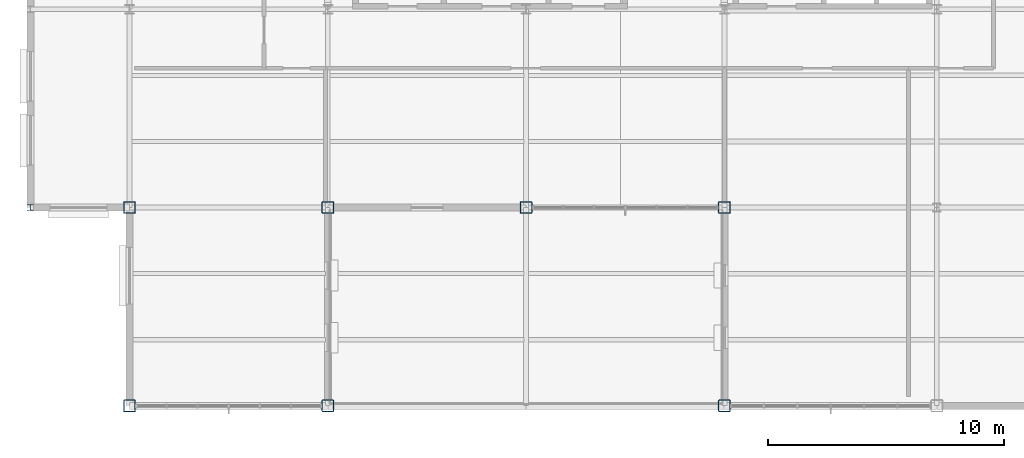
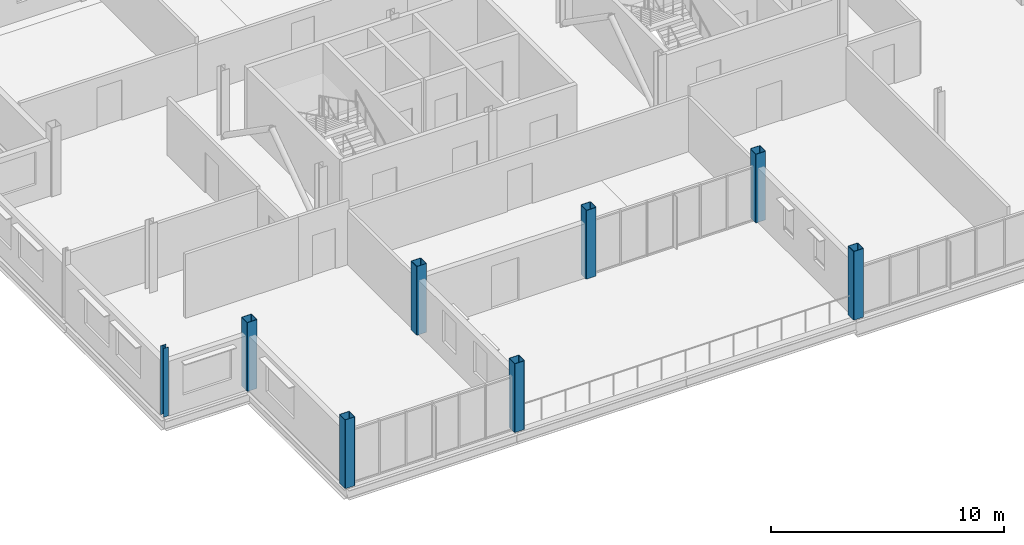
# One storey, part 1 of 20: 8 columns.
"""IFC4 building model written with IfcOpenShell, lengths in metres."""

from ifc_helpers import new_model, si_unit, direction, frame, origin, origin_2d, place, context, subcontext, project, spatial, hollow_rectangle, i_section, extrude, material, material_profile, profile_set, type_object, element, save


model = new_model("IFC4")

# Units and contexts
model_context = context("Model", 3, precision=1e-05, world=origin(), true_north=direction((0.0, 1.0)))
body_context = subcontext(model_context, "Body", "Model", "MODEL_VIEW")
ifc_project = project(units=[si_unit("LENGTHUNIT", "METRE"), si_unit("AREAUNIT", "SQUARE_METRE"), si_unit("VOLUMEUNIT", "CUBIC_METRE"), si_unit("PLANEANGLEUNIT", "RADIAN"), si_unit("MASSUNIT", "GRAM", prefix="KILO")], contexts=[model_context])

# Site, building, storey
site_placement = place(None, origin())
site = spatial("IfcSite", under=ifc_project, at=site_placement, CompositionType="ELEMENT")
building_placement = place(site_placement, origin())
building = spatial("IfcBuilding", under=site, at=building_placement, Name="Yukiwa Park Conservatory and Herbarium", CompositionType="ELEMENT")
storey_placement = place(building_placement, frame((0.0, 0.0, 28.199951171875)))
storey = spatial("IfcBuildingStorey", under=building, at=storey_placement, Name="L07", CompositionType="ELEMENT", Elevation=28.199951171875)

# Columns
ifc_material_1 = material(Name="Steel Q355D", Category="steel")
ifc_material_profile_1 = material_profile(ifc_material_1, i_section(OverallWidth=0.25, OverallDepth=0.25, WebThickness=0.009033203125, FlangeThickness=0.013916015625, FilletRadius=0.01611328125, at=origin_2d()), Name="HW 250x250x9x14")
ifc_profile_set_1 = profile_set([ifc_material_profile_1], Name="Steel Q355D")
column_type_1 = type_object("IfcColumnType", Name="COL-SB-HW250", PredefinedType="COLUMN", material=ifc_profile_set_1)
column_placement = place(storey_placement, frame((120.60009765625, 86.39990234375, 0.0), z_axis=(0.0, 0.0, 1.0), x_axis=(1.0, 0.0, 0.0)))
element("IfcColumn", 1, at=column_placement, inside=storey, type_object=column_type_1, Name="L07 column V5SB1-X1206-Y864", PredefinedType="COLUMN", context=body_context, shape_type="SweptSolid", body=[
    extrude(i_section(OverallWidth=0.25, OverallDepth=0.25, WebThickness=0.009033203125, FlangeThickness=0.013916015625, FilletRadius=0.01611328125, at=origin_2d()), origin(), (0.0, 0.0, 1.0), 3.60009765625),
])
ifc_material_2 = material(Name="Steel Q355D", Category="steel")
ifc_material_profile_2 = material_profile(ifc_material_2, hollow_rectangle(XDim=0.5, YDim=0.5, WallThickness=0.02001953125, InnerFilletRadius=0.02001953125, OuterFilletRadius=0.0400390625, at=origin_2d()), Name="BOX 500x500x20")
ifc_profile_set_2 = profile_set([ifc_material_profile_2], Name="Steel Q355D")
column_type_2 = type_object("IfcColumnType", Name="COL-TW-BOX500-EXT", PredefinedType="COLUMN", material=ifc_profile_set_2)
for number, where, z_axis, x_axis, name in (
    (2, (124.800048828125, 78.0, 0.0), (0.0, 0.0, 1.0), (1.0, 0.0, 0.0), "L07 column V5-X1248-Y780"),
    (3, (124.800048828125, 86.39990234375, 0.0), (0.0, 0.0, 1.0), (1.0, 0.0, 0.0), "L07 column V5-X1248-Y864"),
    (4, (133.199951171875, 78.0, 0.0), (0.0, 0.0, 1.0), (1.0, 0.0, 0.0), "L07 column V5-X1332-Y780"),
    (5, (133.199951171875, 86.39990234375, 0.0), (0.0, 0.0, 1.0), (1.0, 0.0, 0.0), "L07 column V5-X1332-Y864"),
    (6, (141.60009765625, 86.39990234375, 0.0), (0.0, 0.0, 1.0), (1.0, 0.0, 0.0), "L07 column V5-X1416-Y864"),
    (7, (150.0, 78.0, 0.0), (0.0, 0.0, 1.0), (1.0, 0.0, 0.0), "L07 column V5-X1500-Y780"),
    (8, (150.0, 86.39990234375, 0.0), (0.0, 0.0, 1.0), (1.0, 0.0, 0.0), "L07 column V5-X1500-Y864"),
):
    element("IfcColumn", number, at=place(storey_placement, frame(where, z_axis=z_axis, x_axis=x_axis)), inside=storey, type_object=column_type_2, Name=name, PredefinedType="COLUMN", context=body_context, shape_type="SweptSolid", body=[
        extrude(hollow_rectangle(XDim=0.5, YDim=0.5, WallThickness=0.02001953125, InnerFilletRadius=0.02001953125, OuterFilletRadius=0.0400390625, at=origin_2d()), origin(), (0.0, 0.0, 1.0), 3.60009765625),
    ])

save(model, "model.ifc")
